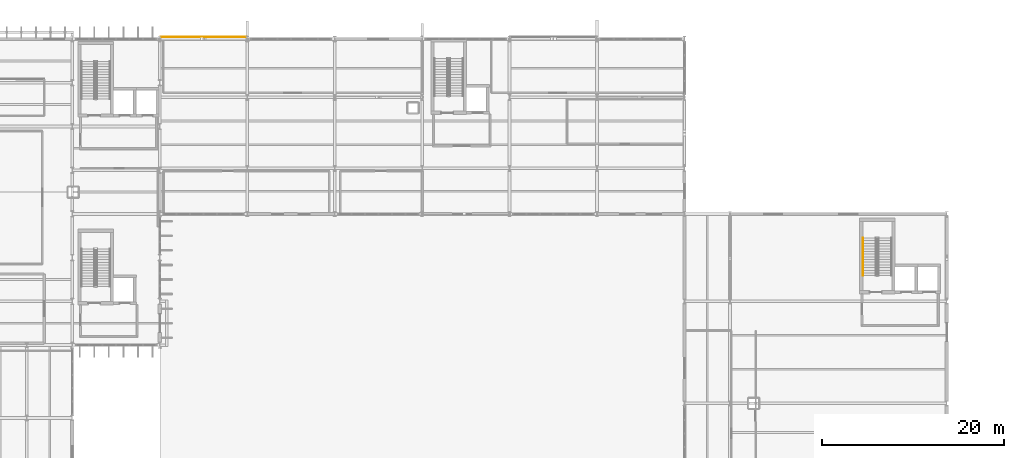
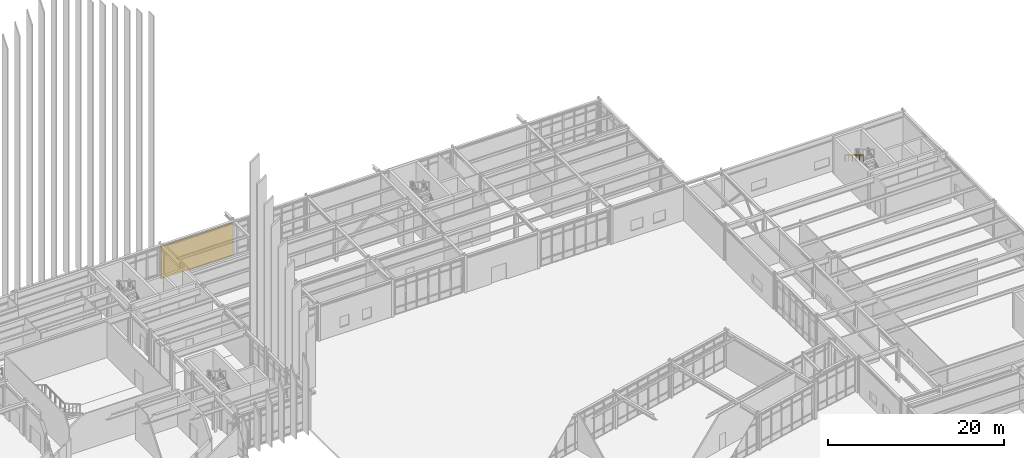
# One storey, part 105 of 109: 1 covering, 1 railing.
"""IFC4 building model written with IfcOpenShell, lengths in metres."""

from ifc_helpers import new_model, si_unit, direction, frame, origin, origin_2d, place, context, subcontext, project, spatial, rectangle, circle, extrude, material, layer, layer_set, type_object, element, save


model = new_model("IFC4")

# Units and contexts
model_context = context("Model", 3, precision=1e-05, world=origin(), true_north=direction((0.0, 1.0)))
body_context = subcontext(model_context, "Body", "Model", "MODEL_VIEW")
ifc_project = project(units=[si_unit("LENGTHUNIT", "METRE"), si_unit("AREAUNIT", "SQUARE_METRE"), si_unit("VOLUMEUNIT", "CUBIC_METRE"), si_unit("PLANEANGLEUNIT", "RADIAN"), si_unit("MASSUNIT", "GRAM", prefix="KILO")], contexts=[model_context])

# Site, building, storey
site_placement = place(None, origin())
site = spatial("IfcSite", under=ifc_project, at=site_placement, CompositionType="ELEMENT")
building_placement = place(site_placement, origin())
building = spatial("IfcBuilding", under=site, at=building_placement, Name="Nordkorset Police Headquarters", CompositionType="ELEMENT")
storey_placement = place(building_placement, origin())
storey = spatial("IfcBuildingStorey", under=building, at=storey_placement, Name="L00", CompositionType="ELEMENT", Elevation=0.0)

# Covering
ifc_material_1 = material(Name="Nordic granite cladding", Category="masonry")
ifc_layer_1 = layer(ifc_material_1, 0.050048828125, Name="Nordic granite cladding")
ifc_layer_set_1 = layer_set([ifc_layer_1], Name="Nordic granite cladding")
covering_type = type_object("IfcCoveringType", Name="Cladding_Nordic_Granite", PredefinedType="CLADDING", material=ifc_layer_set_1)
covering_placement = place(storey_placement, frame((33.60009765625, 117.0048828125, 0.074951171875), z_axis=(0.0, 0.0, 1.0), x_axis=(1.0, 0.0, 0.0)))
element("IfcCovering", 1, at=covering_placement, inside=storey, type_object=covering_type, Name="Nordic Granite Rainscreen Cladding L00 V2N-0", PredefinedType="CLADDING", context=body_context, shape_type="SweptSolid", body=[
    extrude(rectangle(XDim=9.430419921875, YDim=0.050048828125, at=origin_2d()), origin(), (0.0, 0.0, 1.0), 4.52001953125),
])

# Railing
ifc_material_2 = material(Name="Steel S355J2", Category="steel")
ifc_layer_2 = layer(ifc_material_2, 0.048095703125, Name="Steel S355J2")
ifc_layer_set_2 = layer_set([ifc_layer_2], Name="Steel S355J2")
railing_type = type_object("IfcRailingType", Name="Railing_Handrail_900", PredefinedType="HANDRAIL", material=ifc_layer_set_2)
railing_placement = place(storey_placement, frame((106.02490234375, 94.955078125, 2.800048828125)))
element("IfcRailing", 2, at=railing_placement, inside=storey, type_object=railing_type, Name="L00 ST-05 stair handrail 2", PredefinedType="HANDRAIL", context=body_context, shape_type="SweptSolid", body=[
    extrude(circle(Radius=0.02392578125, at=origin_2d()), frame((0.0, 0.0, 0.8759765625), z_axis=(0.0, -0.860065997128, 0.510182791345), x_axis=(1.0, 0.0, 0.0)), (0.0, 0.0, 1.0), 4.802001953125),
    extrude(circle(Radius=0.02099609375, at=origin_2d()), origin(), (0.0, 0.0, 1.0), 0.851806640625),
    extrude(circle(Radius=0.02099609375, at=origin_2d()), frame((0.0, -0.825927734375, 0.489990234375)), (0.0, 0.0, 1.0), 0.851806640625),
    extrude(circle(Radius=0.02099609375, at=origin_2d()), frame((0.0, -1.652099609375, 0.97998046875)), (0.0, 0.0, 1.0), 0.851806640625),
    extrude(circle(Radius=0.02099609375, at=origin_2d()), frame((0.0, -2.47802734375, 1.469970703125)), (0.0, 0.0, 1.0), 0.851806640625),
    extrude(circle(Radius=0.02099609375, at=origin_2d()), frame((0.0, -3.30419921875, 1.9599609375)), (0.0, 0.0, 1.0), 0.851806640625),
    extrude(circle(Radius=0.02099609375, at=origin_2d()), frame((0.0, -4.130126953125, 2.449951171875)), (0.0, 0.0, 1.0), 0.851806640625),
])

save(model, "model.ifc")
